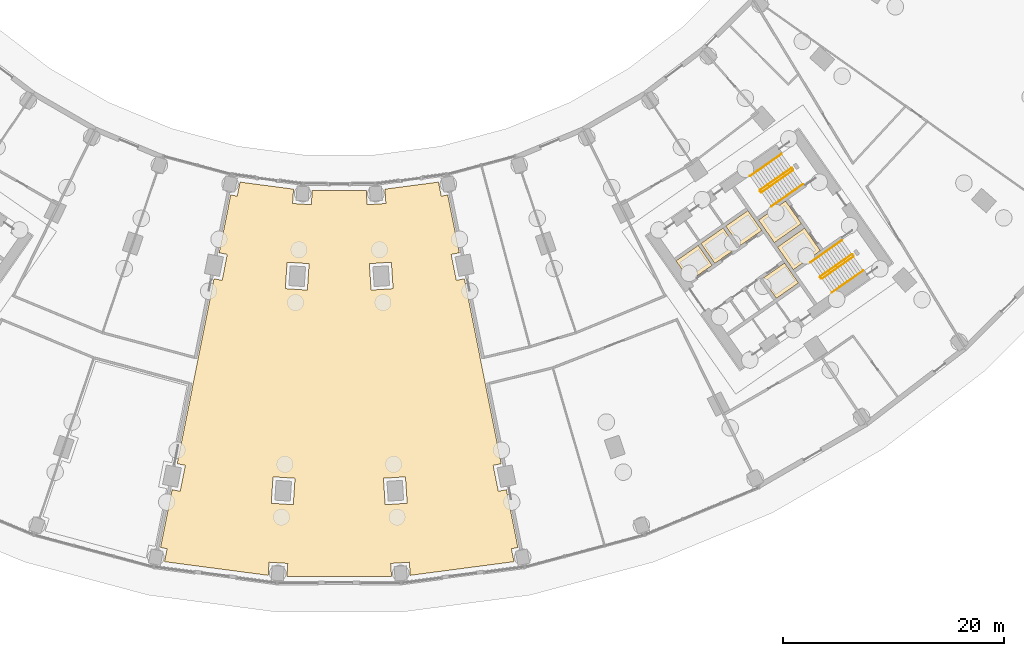
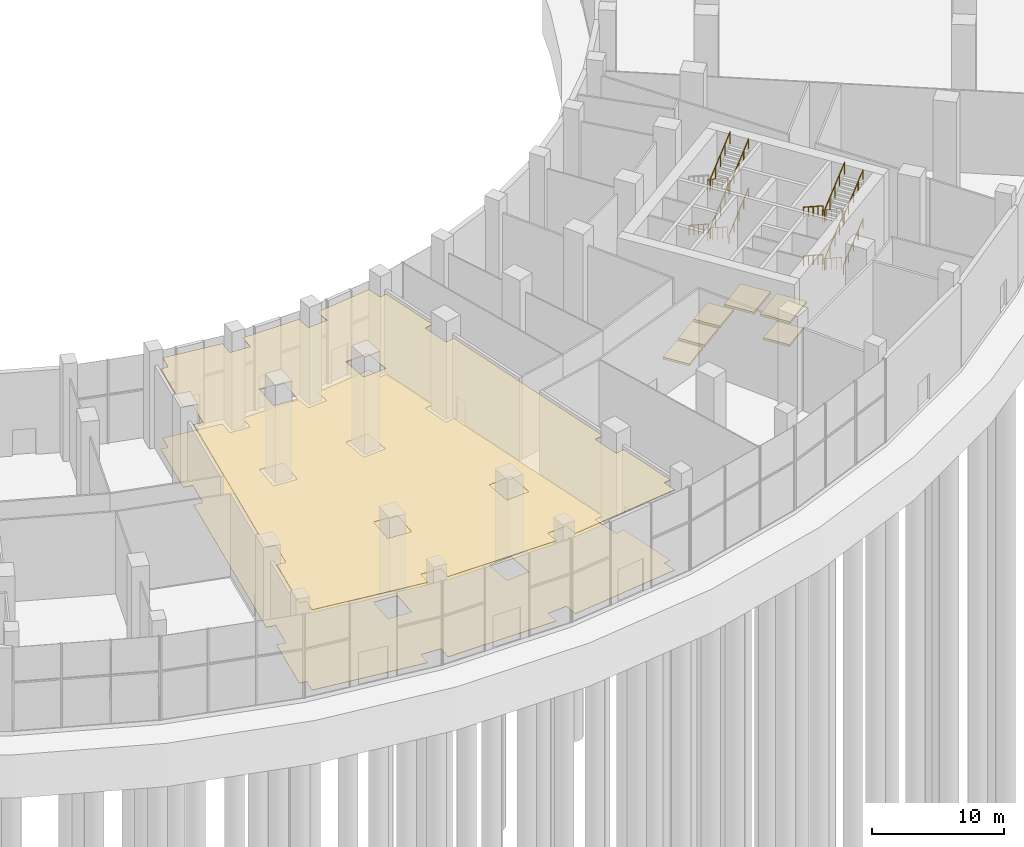
# One storey, part 20 of 23: 15 railings, 8 coverings.
"""IFC4 building model written with IfcOpenShell, lengths in metres."""

from ifc_helpers import new_model, si_unit, direction, frame, origin, origin_2d, place, context, subcontext, project, spatial, polyline, circle, outline, extrude, material, layer, layer_set, type_object, element, save


model = new_model("IFC4")

# Units and contexts
model_context = context("Model", 3, precision=1e-05, world=origin(), true_north=direction((0.0, 1.0)))
body_context = subcontext(model_context, "Body", "Model", "MODEL_VIEW")
ifc_project = project(units=[si_unit("LENGTHUNIT", "METRE"), si_unit("AREAUNIT", "SQUARE_METRE"), si_unit("VOLUMEUNIT", "CUBIC_METRE"), si_unit("PLANEANGLEUNIT", "RADIAN"), si_unit("MASSUNIT", "GRAM", prefix="KILO")], contexts=[model_context])

# Site, building, storey
site_placement = place(None, origin())
site = spatial("IfcSite", under=ifc_project, at=site_placement, CompositionType="ELEMENT")
building_placement = place(site_placement, origin())
building = spatial("IfcBuilding", under=site, at=building_placement, Name="Qamariyya Broadcast Tower", CompositionType="ELEMENT")
storey_placement = place(building_placement, origin())
storey = spatial("IfcBuildingStorey", under=building, at=storey_placement, Name="L00", CompositionType="ELEMENT", Elevation=0.0)

# Coverings
ifc_material_1 = material(Name="Granite paving", Category="masonry")
ifc_layer_1 = layer(ifc_material_1, 0.0400390625)
ifc_layer_set_1 = layer_set([ifc_layer_1], Name="Concourse stone paving 40")
covering_type_1 = type_object("IfcCoveringType", Name="Concourse stone paving 40", PredefinedType="FLOORING", material=ifc_layer_set_1)
covering_1_placement = place(storey_placement, origin())
element("IfcCovering", 1, at=covering_1_placement, inside=storey, type_object=covering_type_1, Name="Flooring L00-F02", PredefinedType="FLOORING", context=body_context, shape_type="SweptSolid", body=[
    extrude(outline(polyline([(-11.35302734375, -58.3564453125), (-10.617431640625, -58.502685546875), (-10.149169921875, -56.14892578125), (-10.884765625, -56.002685546875), (-9.841064453125, -50.75537109375), (-9.25244140625, -50.872314453125), (-8.998046875, -49.59326171875), (-4.144287109375, -50.232177734375), (-4.2294921875, -51.53369140625), (-2.533203125, -51.64501953125), (-2.44775390625, -50.343505859375), (2.44775390625, -50.343505859375), (2.533203125, -51.64501953125), (4.2294921875, -51.53369140625), (4.144287109375, -50.232177734375), (8.998046875, -49.59326171875), (9.25244140625, -50.872314453125), (9.841064453125, -50.75537109375), (10.884765625, -56.002685546875), (10.149169921875, -56.14892578125), (10.617431640625, -58.502685546875), (11.35302734375, -58.3564453125), (14.68896484375, -75.1279296875), (13.953369140625, -75.274169921875), (14.421630859375, -77.628173828125), (15.1572265625, -77.481689453125), (16.200927734375, -82.72900390625), (15.612548828125, -82.845947265625), (15.84521484375, -84.015869140625), (6.439697265625, -85.254150390625), (6.361572265625, -84.06396484375), (4.665283203125, -84.175048828125), (4.743408203125, -85.365234375), (-4.743408203125, -85.365234375), (-4.665283203125, -84.175048828125), (-6.361572265625, -84.06396484375), (-6.439697265625, -85.254150390625), (-15.84521484375, -84.015869140625), (-15.612548828125, -82.845947265625), (-16.200927734375, -82.72900390625), (-15.1572265625, -77.481689453125), (-14.421630859375, -77.628173828125), (-13.953369140625, -75.274169921875), (-14.68896484375, -75.1279296875), (-11.35302734375, -58.3564453125)]), holes=[polyline([(4.165771484375, -78.846435546875), (6.161376953125, -78.715576171875), (6.00439453125, -76.32080078125), (4.0087890625, -76.451416015625), (4.165771484375, -78.846435546875)]), polyline([(2.7333984375, -56.9931640625), (2.890380859375, -59.38818359375), (4.885986328125, -59.25732421875), (4.72900390625, -56.862548828125), (2.7333984375, -56.9931640625)]), polyline([(-4.72900390625, -56.862548828125), (-4.885986328125, -59.25732421875), (-2.890380859375, -59.38818359375), (-2.7333984375, -56.9931640625), (-4.72900390625, -56.862548828125)]), polyline([(-6.00439453125, -76.32080078125), (-6.161376953125, -78.715576171875), (-4.165771484375, -78.846435546875), (-4.0087890625, -76.451416015625), (-6.00439453125, -76.32080078125)])]), origin(), (0.0, 0.0, 1.0), 0.0400390625),
])
ifc_material_2 = material(Name="Timber slat acoustic ceiling", Category="wood")
ifc_layer_2 = layer(ifc_material_2, 0.050048828125)
ifc_layer_set_2 = layer_set([ifc_layer_2], Name="Concourse timber slat ceiling 50")
covering_type_2 = type_object("IfcCoveringType", Name="Concourse timber slat ceiling 50", PredefinedType="CEILING", material=ifc_layer_set_2)
covering_2_placement = place(storey_placement, frame((0.0, 0.0, 7.39990234375)))
element("IfcCovering", 2, at=covering_2_placement, inside=storey, type_object=covering_type_2, Name="Ceiling L00-C01", PredefinedType="CEILING", context=body_context, shape_type="SweptSolid", body=[
    extrude(outline(polyline([(-11.35302734375, -58.3564453125), (-10.617431640625, -58.502685546875), (-10.149169921875, -56.14892578125), (-10.884765625, -56.002685546875), (-9.841064453125, -50.75537109375), (-9.25244140625, -50.872314453125), (-8.998046875, -49.59326171875), (-4.144287109375, -50.232177734375), (-4.2294921875, -51.53369140625), (-2.533203125, -51.64501953125), (-2.44775390625, -50.343505859375), (2.44775390625, -50.343505859375), (2.533203125, -51.64501953125), (4.2294921875, -51.53369140625), (4.144287109375, -50.232177734375), (8.998046875, -49.59326171875), (9.25244140625, -50.872314453125), (9.841064453125, -50.75537109375), (10.884765625, -56.002685546875), (10.149169921875, -56.14892578125), (10.617431640625, -58.502685546875), (11.35302734375, -58.3564453125), (14.68896484375, -75.1279296875), (13.953369140625, -75.274169921875), (14.421630859375, -77.628173828125), (15.1572265625, -77.481689453125), (16.200927734375, -82.72900390625), (15.612548828125, -82.845947265625), (15.84521484375, -84.015869140625), (6.439697265625, -85.254150390625), (6.361572265625, -84.06396484375), (4.665283203125, -84.175048828125), (4.743408203125, -85.365234375), (-4.743408203125, -85.365234375), (-4.665283203125, -84.175048828125), (-6.361572265625, -84.06396484375), (-6.439697265625, -85.254150390625), (-15.84521484375, -84.015869140625), (-15.612548828125, -82.845947265625), (-16.200927734375, -82.72900390625), (-15.1572265625, -77.481689453125), (-14.421630859375, -77.628173828125), (-13.953369140625, -75.274169921875), (-14.68896484375, -75.1279296875), (-11.35302734375, -58.3564453125)]), holes=[polyline([(4.165771484375, -78.846435546875), (6.161376953125, -78.715576171875), (6.00439453125, -76.32080078125), (4.0087890625, -76.451416015625), (4.165771484375, -78.846435546875)]), polyline([(2.7333984375, -56.9931640625), (2.890380859375, -59.38818359375), (4.885986328125, -59.25732421875), (4.72900390625, -56.862548828125), (2.7333984375, -56.9931640625)]), polyline([(-4.72900390625, -56.862548828125), (-4.885986328125, -59.25732421875), (-2.890380859375, -59.38818359375), (-2.7333984375, -56.9931640625), (-4.72900390625, -56.862548828125)]), polyline([(-6.00439453125, -76.32080078125), (-6.161376953125, -78.715576171875), (-4.165771484375, -78.846435546875), (-4.0087890625, -76.451416015625), (-6.00439453125, -76.32080078125)])]), origin(), (0.0, 0.0, 1.0), 0.050048828125),
])
ifc_material_3 = material(Name="Concrete C40/50", Category="concrete")
ifc_layer_3 = layer(ifc_material_3, 0.199951171875)
ifc_layer_set_3 = layer_set([ifc_layer_3], Name="Lift pit floor topping 200 mm Concrete C40/50")
covering_type_3 = type_object("IfcCoveringType", Name="Lift pit floor topping 200 mm Concrete C40/50", PredefinedType="FLOORING", material=ifc_layer_set_3)
covering_3_placement = place(storey_placement, frame((0.0, 0.0, -2.199951171875)))
element("IfcCovering", 3, at=covering_3_placement, inside=storey, type_object=covering_type_3, Name="k-E-L00-pit0", PredefinedType="FLOORING", context=body_context, shape_type="SweptSolid", body=[
    extrude(outline(polyline([(31.80859375, -58.542724609375), (33.8154296875, -57.137451171875), (32.5537109375, -55.335205078125), (30.546630859375, -56.740478515625), (31.80859375, -58.542724609375)])), origin(), (0.0, 0.0, 1.0), 0.199951171875),
])
covering_4_placement = place(storey_placement, frame((0.0, 0.0, -2.199951171875)))
element("IfcCovering", 4, at=covering_4_placement, inside=storey, type_object=covering_type_3, Name="k-E-L00-pit1", PredefinedType="FLOORING", context=body_context, shape_type="SweptSolid", body=[
    extrude(outline(polyline([(34.061279296875, -56.96533203125), (36.068115234375, -55.56005859375), (34.806396484375, -53.758056640625), (32.79931640625, -55.163330078125), (34.061279296875, -56.96533203125)])), origin(), (0.0, 0.0, 1.0), 0.199951171875),
])
covering_5_placement = place(storey_placement, frame((0.0, 0.0, -2.199951171875)))
element("IfcCovering", 5, at=covering_5_placement, inside=storey, type_object=covering_type_3, Name="k-E-L00-pit2", PredefinedType="FLOORING", context=body_context, shape_type="SweptSolid", body=[
    extrude(outline(polyline([(36.31396484375, -55.387939453125), (38.32080078125, -53.982666015625), (37.058837890625, -52.1806640625), (35.052001953125, -53.5859375), (36.31396484375, -55.387939453125)])), origin(), (0.0, 0.0, 1.0), 0.199951171875),
])
covering_6_placement = place(storey_placement, frame((0.0, 0.0, -2.199951171875)))
element("IfcCovering", 6, at=covering_6_placement, inside=storey, type_object=covering_type_3, Name="k-E-L00-pit3", PredefinedType="FLOORING", context=body_context, shape_type="SweptSolid", body=[
    extrude(outline(polyline([(38.378662109375, -58.3369140625), (40.3857421875, -56.931640625), (41.6474609375, -58.73388671875), (39.640625, -60.13916015625), (38.378662109375, -58.3369140625)])), origin(), (0.0, 0.0, 1.0), 0.199951171875),
])
covering_7_placement = place(storey_placement, frame((0.0, 0.0, -2.199951171875)))
element("IfcCovering", 7, at=covering_7_placement, inside=storey, type_object=covering_type_3, Name="k-E-L00-pit4", PredefinedType="FLOORING", context=body_context, shape_type="SweptSolid", body=[
    extrude(outline(polyline([(39.742431640625, -55.489990234375), (42.199951171875, -53.769287109375), (43.6337890625, -55.817138671875), (41.17626953125, -57.537841796875), (39.742431640625, -55.489990234375)])), origin(), (0.0, 0.0, 1.0), 0.199951171875),
])
covering_8_placement = place(storey_placement, frame((0.0, 0.0, -2.199951171875)))
element("IfcCovering", 8, at=covering_8_placement, inside=storey, type_object=covering_type_3, Name="k-E-L00-pit5", PredefinedType="FLOORING", context=body_context, shape_type="SweptSolid", body=[
    extrude(outline(polyline([(39.45556640625, -55.080322265625), (41.9130859375, -53.359619140625), (40.47900390625, -51.311767578125), (38.021728515625, -53.032470703125), (39.45556640625, -55.080322265625)])), origin(), (0.0, 0.0, 1.0), 0.199951171875),
])

# Railings
ifc_material_4 = material(Name="Painted steel", Category="steel")
railing_type_1 = type_object("IfcRailingType", Name="Stair guard", PredefinedType="GUARDRAIL", material=ifc_material_4)
railing_1_placement = place(storey_placement, frame((41.003173828125, -48.320068359375, 0.173095703125)))
element("IfcRailing", 9, at=railing_1_placement, inside=storey, type_object=railing_type_1, Name="L00 ST-E2 stair guard 1", PredefinedType="GUARDRAIL", context=body_context, shape_type="SweptSolid", body=[
    extrude(circle(Radius=0.02392578125, at=origin_2d()), frame((0.0, 0.0, 1.076171875), z_axis=(-0.703392637411, -0.492543525477, 0.512483827206), x_axis=(0.573594173421, -0.819139624372, 0.0)), (0.0, 0.0, 1.0), 4.052734375),
    extrude(circle(Radius=0.02392578125, at=origin_2d()), frame((-2.8505859375, -1.99609375, 3.15283203125), z_axis=(-0.172799478008, -0.984957024646, 0.0), x_axis=(0.984957024646, -0.172799478008, 0.0)), (0.0, 0.0, 1.0), 0.070556640625),
    extrude(circle(Radius=0.02392578125, at=origin_2d()), frame((-2.86279296875, -2.065673828125, 3.15283203125), z_axis=(0.573353020881, -0.819308436089, 0.0), x_axis=(0.819308436089, 0.573353020881, 0.0)), (0.0, 0.0, 1.0), 0.14990234375),
    extrude(circle(Radius=0.02099609375, at=origin_2d()), origin(), (0.0, 0.0, 1.0), 1.052001953125),
    extrude(circle(Radius=0.02099609375, at=origin_2d()), frame((-0.712646484375, -0.4990234375, 0.519287109375)), (0.0, 0.0, 1.0), 1.052001953125),
    extrude(circle(Radius=0.02099609375, at=origin_2d()), frame((-1.42529296875, -0.998046875, 1.03857421875)), (0.0, 0.0, 1.0), 1.052001953125),
    extrude(circle(Radius=0.02099609375, at=origin_2d()), frame((-2.137939453125, -1.4970703125, 1.5576171875)), (0.0, 0.0, 1.0), 1.052001953125),
    extrude(circle(Radius=0.02099609375, at=origin_2d()), frame((-2.8505859375, -1.99609375, 2.076904296875)), (0.0, 0.0, 1.0), 1.052001953125),
    extrude(circle(Radius=0.02099609375, at=origin_2d()), frame((-2.86279296875, -2.065673828125, 2.076904296875)), (0.0, 0.0, 1.0), 1.052001953125),
    extrude(circle(Radius=0.02099609375, at=origin_2d()), frame((-2.77685546875, -2.1884765625, 2.076904296875)), (0.0, 0.0, 1.0), 1.052001953125),
])
railing_2_placement = place(storey_placement, frame((38.2958984375, -50.52099609375, 2.423095703125)))
element("IfcRailing", 10, at=railing_2_placement, inside=storey, type_object=railing_type_1, Name="L00 ST-E2 stair guard 2", PredefinedType="GUARDRAIL", context=body_context, shape_type="SweptSolid", body=[
    extrude(circle(Radius=0.02392578125, at=origin_2d()), frame((0.0, 0.0, 1.076171875), z_axis=(0.703423072377, 0.49252265477, 0.512462111562), x_axis=(-0.573561211868, 0.819162704376, 0.0)), (0.0, 0.0, 1.0), 4.052734375),
    extrude(circle(Radius=0.02392578125, at=origin_2d()), frame((2.850830078125, 1.99609375, 3.15283203125), z_axis=(-0.35747155403, 0.93392402692, 0.0), x_axis=(-0.93392402692, -0.35747155403, 0.0)), (0.0, 0.0, 1.0), 0.206298828125),
    extrude(circle(Radius=0.02392578125, at=origin_2d()), frame((2.777099609375, 2.188720703125, 3.15283203125), z_axis=(0.572588637393, -0.819842821722, 0.0), x_axis=(0.819842821722, 0.572588637393, 0.0)), (0.0, 0.0, 1.0), 0.150146484375),
    extrude(circle(Radius=0.02099609375, at=origin_2d()), origin(), (0.0, 0.0, 1.0), 1.052001953125),
    extrude(circle(Radius=0.02099609375, at=origin_2d()), frame((0.712646484375, 0.4990234375, 0.519287109375)), (0.0, 0.0, 1.0), 1.052001953125),
    extrude(circle(Radius=0.02099609375, at=origin_2d()), frame((1.42529296875, 0.998046875, 1.03857421875)), (0.0, 0.0, 1.0), 1.052001953125),
    extrude(circle(Radius=0.02099609375, at=origin_2d()), frame((2.13818359375, 1.4970703125, 1.5576171875)), (0.0, 0.0, 1.0), 1.052001953125),
    extrude(circle(Radius=0.02099609375, at=origin_2d()), frame((2.850830078125, 1.99609375, 2.076904296875)), (0.0, 0.0, 1.0), 1.052001953125),
    extrude(circle(Radius=0.02099609375, at=origin_2d()), frame((2.777099609375, 2.188720703125, 2.076904296875)), (0.0, 0.0, 1.0), 1.052001953125),
    extrude(circle(Radius=0.02099609375, at=origin_2d()), frame((2.863037109375, 2.065673828125, 2.076904296875)), (0.0, 0.0, 1.0), 1.052001953125),
])
railing_3_placement = place(storey_placement, frame((41.003173828125, -48.320068359375, 4.673095703125)))
element("IfcRailing", 11, at=railing_3_placement, inside=storey, type_object=railing_type_1, Name="L00 ST-E2 stair guard 3", PredefinedType="GUARDRAIL", context=body_context, shape_type="SweptSolid", body=[
    extrude(circle(Radius=0.02392578125, at=origin_2d()), frame((0.0, 0.0, 1.076171875), z_axis=(-0.703392637411, -0.492543525477, 0.512483827206), x_axis=(0.573594173421, -0.819139624372, 0.0)), (0.0, 0.0, 1.0), 4.052734375),
    extrude(circle(Radius=0.02392578125, at=origin_2d()), frame((-2.8505859375, -1.99609375, 3.15283203125), z_axis=(-0.172799478008, -0.984957024646, 0.0), x_axis=(0.984957024646, -0.172799478008, 0.0)), (0.0, 0.0, 1.0), 0.070556640625),
    extrude(circle(Radius=0.02392578125, at=origin_2d()), frame((-2.86279296875, -2.065673828125, 3.15283203125), z_axis=(0.573353020881, -0.819308436089, 0.0), x_axis=(0.819308436089, 0.573353020881, 0.0)), (0.0, 0.0, 1.0), 0.14990234375),
    extrude(circle(Radius=0.02099609375, at=origin_2d()), origin(), (0.0, 0.0, 1.0), 1.052001953125),
    extrude(circle(Radius=0.02099609375, at=origin_2d()), frame((-0.712646484375, -0.4990234375, 0.519287109375)), (0.0, 0.0, 1.0), 1.052001953125),
    extrude(circle(Radius=0.02099609375, at=origin_2d()), frame((-1.42529296875, -0.998046875, 1.03857421875)), (0.0, 0.0, 1.0), 1.052001953125),
    extrude(circle(Radius=0.02099609375, at=origin_2d()), frame((-2.137939453125, -1.4970703125, 1.5576171875)), (0.0, 0.0, 1.0), 1.052001953125),
    extrude(circle(Radius=0.02099609375, at=origin_2d()), frame((-2.8505859375, -1.99609375, 2.076904296875)), (0.0, 0.0, 1.0), 1.052001953125),
    extrude(circle(Radius=0.02099609375, at=origin_2d()), frame((-2.86279296875, -2.065673828125, 2.076904296875)), (0.0, 0.0, 1.0), 1.052001953125),
    extrude(circle(Radius=0.02099609375, at=origin_2d()), frame((-2.77685546875, -2.1884765625, 2.076904296875)), (0.0, 0.0, 1.0), 1.052001953125),
])
railing_4_placement = place(storey_placement, frame((38.2958984375, -50.52099609375, 6.923095703125)))
element("IfcRailing", 12, at=railing_4_placement, inside=storey, type_object=railing_type_1, Name="L00 ST-E2 stair guard 4", PredefinedType="GUARDRAIL", context=body_context, shape_type="SweptSolid", body=[
    extrude(circle(Radius=0.02392578125, at=origin_2d()), frame((0.0, 0.0, 1.076171875), z_axis=(0.703423072377, 0.49252265477, 0.512462111562), x_axis=(-0.573561211868, 0.819162704376, 0.0)), (0.0, 0.0, 1.0), 4.052734375),
    extrude(circle(Radius=0.02099609375, at=origin_2d()), origin(), (0.0, 0.0, 1.0), 1.052001953125),
    extrude(circle(Radius=0.02099609375, at=origin_2d()), frame((0.712646484375, 0.4990234375, 0.519287109375)), (0.0, 0.0, 1.0), 1.052001953125),
    extrude(circle(Radius=0.02099609375, at=origin_2d()), frame((1.42529296875, 0.998046875, 1.03857421875)), (0.0, 0.0, 1.0), 1.052001953125),
    extrude(circle(Radius=0.02099609375, at=origin_2d()), frame((2.13818359375, 1.4970703125, 1.5576171875)), (0.0, 0.0, 1.0), 1.052001953125),
    extrude(circle(Radius=0.02099609375, at=origin_2d()), frame((2.850830078125, 1.99609375, 2.076904296875)), (0.0, 0.0, 1.0), 1.052001953125),
])
railing_5_placement = place(storey_placement, frame((46.48095703125, -56.14306640625, 0.173095703125)))
element("IfcRailing", 13, at=railing_5_placement, inside=storey, type_object=railing_type_1, Name="L00 ST-E1 stair guard 1", PredefinedType="GUARDRAIL", context=body_context, shape_type="SweptSolid", body=[
    extrude(circle(Radius=0.02392578125, at=origin_2d()), frame((0.0, 0.0, 1.076171875), z_axis=(-0.703413508203, -0.492497895646, 0.512499033426), x_axis=(0.57354709673, -0.81917258733, 0.0)), (0.0, 0.0, 1.0), 4.052490234375),
    extrude(circle(Radius=0.02392578125, at=origin_2d()), frame((-2.8505859375, -1.995849609375, 3.15283203125), z_axis=(-0.175552359694, -0.984470095537, 0.0), x_axis=(0.984470095537, -0.175552359694, 0.0)), (0.0, 0.0, 1.0), 0.071044921875),
    extrude(circle(Radius=0.02392578125, at=origin_2d()), frame((-2.863037109375, -2.065673828125, 3.15283203125), z_axis=(0.574444878118, -0.818543268254, 0.0), x_axis=(0.818543268254, 0.574444878118, 0.0)), (0.0, 0.0, 1.0), 0.150146484375),
    extrude(circle(Radius=0.02099609375, at=origin_2d()), origin(), (0.0, 0.0, 1.0), 1.052001953125),
    extrude(circle(Radius=0.02099609375, at=origin_2d()), frame((-0.712646484375, -0.4990234375, 0.519287109375)), (0.0, 0.0, 1.0), 1.052001953125),
    extrude(circle(Radius=0.02099609375, at=origin_2d()), frame((-1.42529296875, -0.998046875, 1.03857421875)), (0.0, 0.0, 1.0), 1.052001953125),
    extrude(circle(Radius=0.02099609375, at=origin_2d()), frame((-2.137939453125, -1.496826171875, 1.5576171875)), (0.0, 0.0, 1.0), 1.052001953125),
    extrude(circle(Radius=0.02099609375, at=origin_2d()), frame((-2.8505859375, -1.995849609375, 2.076904296875)), (0.0, 0.0, 1.0), 1.052001953125),
    extrude(circle(Radius=0.02099609375, at=origin_2d()), frame((-2.863037109375, -2.065673828125, 2.076904296875)), (0.0, 0.0, 1.0), 1.052001953125),
    extrude(circle(Radius=0.02099609375, at=origin_2d()), frame((-2.77685546875, -2.1884765625, 2.076904296875)), (0.0, 0.0, 1.0), 1.052001953125),
])
railing_6_placement = place(storey_placement, frame((43.773681640625, -58.34375, 2.423095703125)))
element("IfcRailing", 14, at=railing_6_placement, inside=storey, type_object=railing_type_1, Name="L00 ST-E1 stair guard 2", PredefinedType="GUARDRAIL", context=body_context, shape_type="SweptSolid", body=[
    extrude(circle(Radius=0.02392578125, at=origin_2d()), frame((0.0, 0.0, 1.076171875), z_axis=(0.703392637411, 0.492543525477, 0.512483827206), x_axis=(-0.573594173421, 0.819139624372, 0.0)), (0.0, 0.0, 1.0), 4.052734375),
    extrude(circle(Radius=0.02392578125, at=origin_2d()), frame((2.8505859375, 1.99609375, 3.15283203125), z_axis=(-0.357867132547, 0.933772518038, 0.0), x_axis=(-0.933772518038, -0.357867132547, 0.0)), (0.0, 0.0, 1.0), 0.2060546875),
    extrude(circle(Radius=0.02392578125, at=origin_2d()), frame((2.77685546875, 2.1884765625, 3.15283203125), z_axis=(0.574444878118, -0.818543268254, 0.0), x_axis=(0.818543268254, 0.574444878118, 0.0)), (0.0, 0.0, 1.0), 0.150146484375),
    extrude(circle(Radius=0.02099609375, at=origin_2d()), origin(), (0.0, 0.0, 1.0), 1.052001953125),
    extrude(circle(Radius=0.02099609375, at=origin_2d()), frame((0.712646484375, 0.4990234375, 0.519287109375)), (0.0, 0.0, 1.0), 1.052001953125),
    extrude(circle(Radius=0.02099609375, at=origin_2d()), frame((1.42529296875, 0.998046875, 1.03857421875)), (0.0, 0.0, 1.0), 1.052001953125),
    extrude(circle(Radius=0.02099609375, at=origin_2d()), frame((2.137939453125, 1.4970703125, 1.5576171875)), (0.0, 0.0, 1.0), 1.052001953125),
    extrude(circle(Radius=0.02099609375, at=origin_2d()), frame((2.8505859375, 1.99609375, 2.076904296875)), (0.0, 0.0, 1.0), 1.052001953125),
    extrude(circle(Radius=0.02099609375, at=origin_2d()), frame((2.77685546875, 2.1884765625, 2.076904296875)), (0.0, 0.0, 1.0), 1.052001953125),
    extrude(circle(Radius=0.02099609375, at=origin_2d()), frame((2.863037109375, 2.065673828125, 2.076904296875)), (0.0, 0.0, 1.0), 1.052001953125),
])
railing_7_placement = place(storey_placement, frame((46.48095703125, -56.14306640625, 4.673095703125)))
element("IfcRailing", 15, at=railing_7_placement, inside=storey, type_object=railing_type_1, Name="L00 ST-E1 stair guard 3", PredefinedType="GUARDRAIL", context=body_context, shape_type="SweptSolid", body=[
    extrude(circle(Radius=0.02392578125, at=origin_2d()), frame((0.0, 0.0, 1.076171875), z_axis=(-0.703413508203, -0.492497895646, 0.512499033426), x_axis=(0.57354709673, -0.81917258733, 0.0)), (0.0, 0.0, 1.0), 4.052490234375),
    extrude(circle(Radius=0.02392578125, at=origin_2d()), frame((-2.8505859375, -1.995849609375, 3.15283203125), z_axis=(-0.175552359694, -0.984470095537, 0.0), x_axis=(0.984470095537, -0.175552359694, 0.0)), (0.0, 0.0, 1.0), 0.071044921875),
    extrude(circle(Radius=0.02392578125, at=origin_2d()), frame((-2.863037109375, -2.065673828125, 3.15283203125), z_axis=(0.574444878118, -0.818543268254, 0.0), x_axis=(0.818543268254, 0.574444878118, 0.0)), (0.0, 0.0, 1.0), 0.150146484375),
    extrude(circle(Radius=0.02099609375, at=origin_2d()), origin(), (0.0, 0.0, 1.0), 1.052001953125),
    extrude(circle(Radius=0.02099609375, at=origin_2d()), frame((-0.712646484375, -0.4990234375, 0.519287109375)), (0.0, 0.0, 1.0), 1.052001953125),
    extrude(circle(Radius=0.02099609375, at=origin_2d()), frame((-1.42529296875, -0.998046875, 1.03857421875)), (0.0, 0.0, 1.0), 1.052001953125),
    extrude(circle(Radius=0.02099609375, at=origin_2d()), frame((-2.137939453125, -1.496826171875, 1.5576171875)), (0.0, 0.0, 1.0), 1.052001953125),
    extrude(circle(Radius=0.02099609375, at=origin_2d()), frame((-2.8505859375, -1.995849609375, 2.076904296875)), (0.0, 0.0, 1.0), 1.052001953125),
    extrude(circle(Radius=0.02099609375, at=origin_2d()), frame((-2.863037109375, -2.065673828125, 2.076904296875)), (0.0, 0.0, 1.0), 1.052001953125),
    extrude(circle(Radius=0.02099609375, at=origin_2d()), frame((-2.77685546875, -2.1884765625, 2.076904296875)), (0.0, 0.0, 1.0), 1.052001953125),
])
railing_8_placement = place(storey_placement, frame((43.773681640625, -58.34375, 6.923095703125)))
element("IfcRailing", 16, at=railing_8_placement, inside=storey, type_object=railing_type_1, Name="L00 ST-E1 stair guard 4", PredefinedType="GUARDRAIL", context=body_context, shape_type="SweptSolid", body=[
    extrude(circle(Radius=0.02392578125, at=origin_2d()), frame((0.0, 0.0, 1.076171875), z_axis=(0.703392637411, 0.492543525477, 0.512483827206), x_axis=(-0.573594173421, 0.819139624372, 0.0)), (0.0, 0.0, 1.0), 4.052734375),
    extrude(circle(Radius=0.02099609375, at=origin_2d()), origin(), (0.0, 0.0, 1.0), 1.052001953125),
    extrude(circle(Radius=0.02099609375, at=origin_2d()), frame((0.712646484375, 0.4990234375, 0.519287109375)), (0.0, 0.0, 1.0), 1.052001953125),
    extrude(circle(Radius=0.02099609375, at=origin_2d()), frame((1.42529296875, 0.998046875, 1.03857421875)), (0.0, 0.0, 1.0), 1.052001953125),
    extrude(circle(Radius=0.02099609375, at=origin_2d()), frame((2.137939453125, 1.4970703125, 1.5576171875)), (0.0, 0.0, 1.0), 1.052001953125),
    extrude(circle(Radius=0.02099609375, at=origin_2d()), frame((2.8505859375, 1.99609375, 2.076904296875)), (0.0, 0.0, 1.0), 1.052001953125),
])
ifc_material_5 = material(Name="Stainless steel", Category="steel")
railing_type_2 = type_object("IfcRailingType", Name="Stair handrail", PredefinedType="HANDRAIL", material=ifc_material_5)
railing_9_placement = place(storey_placement, frame((40.1142578125, -47.05029296875, 0.173095703125)))
element("IfcRailing", 17, at=railing_9_placement, inside=storey, type_object=railing_type_2, Name="L00 ST-E2 stair handrail 1", PredefinedType="HANDRAIL", context=body_context, shape_type="SweptSolid", body=[
    extrude(circle(Radius=0.02392578125, at=origin_2d()), frame((0.0, 0.0, 0.8759765625), z_axis=(-0.703392637411, -0.492543525477, 0.512483827206), x_axis=(0.573594173421, -0.819139624372, 0.0)), (0.0, 0.0, 1.0), 4.052734375),
    extrude(circle(Radius=0.02099609375, at=origin_2d()), origin(), (0.0, 0.0, 1.0), 0.851806640625),
    extrude(circle(Radius=0.02099609375, at=origin_2d()), frame((-0.712646484375, -0.4990234375, 0.519287109375)), (0.0, 0.0, 1.0), 0.851806640625),
    extrude(circle(Radius=0.02099609375, at=origin_2d()), frame((-1.42529296875, -0.998046875, 1.03857421875)), (0.0, 0.0, 1.0), 0.851806640625),
    extrude(circle(Radius=0.02099609375, at=origin_2d()), frame((-2.137939453125, -1.4970703125, 1.5576171875)), (0.0, 0.0, 1.0), 0.851806640625),
    extrude(circle(Radius=0.02099609375, at=origin_2d()), frame((-2.8505859375, -1.99609375, 2.076904296875)), (0.0, 0.0, 1.0), 0.851806640625),
])
for number, where, name in (
    (18, (39.18505859375, -51.79052734375, 2.423095703125), "L00 ST-E2 stair handrail 2"),
    (19, (39.18505859375, -51.79052734375, 6.923095703125), "L00 ST-E2 stair handrail 4"),
):
    element("IfcRailing", number, at=place(storey_placement, frame(where)), inside=storey, type_object=railing_type_2, Name=name, PredefinedType="HANDRAIL", context=body_context, shape_type="SweptSolid", body=[
        extrude(circle(Radius=0.02392578125, at=origin_2d()), frame((0.0, 0.0, 0.8759765625), z_axis=(0.703392637411, 0.492543525477, 0.512483827206), x_axis=(-0.573594173421, 0.819139624372, 0.0)), (0.0, 0.0, 1.0), 4.052734375),
        extrude(circle(Radius=0.02099609375, at=origin_2d()), origin(), (0.0, 0.0, 1.0), 0.851806640625),
        extrude(circle(Radius=0.02099609375, at=origin_2d()), frame((0.712646484375, 0.4990234375, 0.519287109375)), (0.0, 0.0, 1.0), 0.851806640625),
        extrude(circle(Radius=0.02099609375, at=origin_2d()), frame((1.42529296875, 0.998046875, 1.03857421875)), (0.0, 0.0, 1.0), 0.851806640625),
        extrude(circle(Radius=0.02099609375, at=origin_2d()), frame((2.137939453125, 1.4970703125, 1.5576171875)), (0.0, 0.0, 1.0), 0.851806640625),
        extrude(circle(Radius=0.02099609375, at=origin_2d()), frame((2.8505859375, 1.99609375, 2.076904296875)), (0.0, 0.0, 1.0), 0.851806640625),
    ])
railing_10_placement = place(storey_placement, frame((45.591796875, -54.873291015625, 0.173095703125)))
element("IfcRailing", 20, at=railing_10_placement, inside=storey, type_object=railing_type_2, Name="L00 ST-E1 stair handrail 1", PredefinedType="HANDRAIL", context=body_context, shape_type="SweptSolid", body=[
    extrude(circle(Radius=0.02392578125, at=origin_2d()), frame((0.0, 0.0, 0.8759765625), z_axis=(-0.703392637411, -0.492543525477, 0.512483827206), x_axis=(0.573594173421, -0.819139624372, 0.0)), (0.0, 0.0, 1.0), 4.052734375),
    extrude(circle(Radius=0.02099609375, at=origin_2d()), origin(), (0.0, 0.0, 1.0), 0.851806640625),
    extrude(circle(Radius=0.02099609375, at=origin_2d()), frame((-0.712646484375, -0.4990234375, 0.519287109375)), (0.0, 0.0, 1.0), 0.851806640625),
    extrude(circle(Radius=0.02099609375, at=origin_2d()), frame((-1.42529296875, -0.998046875, 1.03857421875)), (0.0, 0.0, 1.0), 0.851806640625),
    extrude(circle(Radius=0.02099609375, at=origin_2d()), frame((-2.137939453125, -1.4970703125, 1.5576171875)), (0.0, 0.0, 1.0), 0.851806640625),
    extrude(circle(Radius=0.02099609375, at=origin_2d()), frame((-2.8505859375, -1.99609375, 2.076904296875)), (0.0, 0.0, 1.0), 0.851806640625),
])
railing_11_placement = place(storey_placement, frame((44.66259765625, -59.613525390625, 2.423095703125)))
element("IfcRailing", 21, at=railing_11_placement, inside=storey, type_object=railing_type_2, Name="L00 ST-E1 stair handrail 2", PredefinedType="HANDRAIL", context=body_context, shape_type="SweptSolid", body=[
    extrude(circle(Radius=0.02392578125, at=origin_2d()), frame((0.0, 0.0, 0.8759765625), z_axis=(0.703423072377, 0.49252265477, 0.512462111562), x_axis=(-0.573561211868, 0.819162704376, 0.0)), (0.0, 0.0, 1.0), 4.052734375),
    extrude(circle(Radius=0.02099609375, at=origin_2d()), origin(), (0.0, 0.0, 1.0), 0.851806640625),
    extrude(circle(Radius=0.02099609375, at=origin_2d()), frame((0.712646484375, 0.4990234375, 0.519287109375)), (0.0, 0.0, 1.0), 0.851806640625),
    extrude(circle(Radius=0.02099609375, at=origin_2d()), frame((1.42529296875, 0.998046875, 1.03857421875)), (0.0, 0.0, 1.0), 0.851806640625),
    extrude(circle(Radius=0.02099609375, at=origin_2d()), frame((2.13818359375, 1.4970703125, 1.5576171875)), (0.0, 0.0, 1.0), 0.851806640625),
    extrude(circle(Radius=0.02099609375, at=origin_2d()), frame((2.850830078125, 1.99609375, 2.076904296875)), (0.0, 0.0, 1.0), 0.851806640625),
])
railing_12_placement = place(storey_placement, frame((45.591796875, -54.873291015625, 4.673095703125)))
element("IfcRailing", 22, at=railing_12_placement, inside=storey, type_object=railing_type_2, Name="L00 ST-E1 stair handrail 3", PredefinedType="HANDRAIL", context=body_context, shape_type="SweptSolid", body=[
    extrude(circle(Radius=0.02392578125, at=origin_2d()), frame((0.0, 0.0, 0.8759765625), z_axis=(-0.703392637411, -0.492543525477, 0.512483827206), x_axis=(0.573594173421, -0.819139624372, 0.0)), (0.0, 0.0, 1.0), 4.052734375),
    extrude(circle(Radius=0.02099609375, at=origin_2d()), origin(), (0.0, 0.0, 1.0), 0.851806640625),
    extrude(circle(Radius=0.02099609375, at=origin_2d()), frame((-0.712646484375, -0.4990234375, 0.519287109375)), (0.0, 0.0, 1.0), 0.851806640625),
    extrude(circle(Radius=0.02099609375, at=origin_2d()), frame((-1.42529296875, -0.998046875, 1.03857421875)), (0.0, 0.0, 1.0), 0.851806640625),
    extrude(circle(Radius=0.02099609375, at=origin_2d()), frame((-2.137939453125, -1.4970703125, 1.5576171875)), (0.0, 0.0, 1.0), 0.851806640625),
    extrude(circle(Radius=0.02099609375, at=origin_2d()), frame((-2.8505859375, -1.99609375, 2.076904296875)), (0.0, 0.0, 1.0), 0.851806640625),
])
railing_13_placement = place(storey_placement, frame((44.66259765625, -59.613525390625, 6.923095703125)))
element("IfcRailing", 23, at=railing_13_placement, inside=storey, type_object=railing_type_2, Name="L00 ST-E1 stair handrail 4", PredefinedType="HANDRAIL", context=body_context, shape_type="SweptSolid", body=[
    extrude(circle(Radius=0.02392578125, at=origin_2d()), frame((0.0, 0.0, 0.8759765625), z_axis=(0.703423072377, 0.49252265477, 0.512462111562), x_axis=(-0.573561211868, 0.819162704376, 0.0)), (0.0, 0.0, 1.0), 4.052734375),
    extrude(circle(Radius=0.02099609375, at=origin_2d()), origin(), (0.0, 0.0, 1.0), 0.851806640625),
    extrude(circle(Radius=0.02099609375, at=origin_2d()), frame((0.712646484375, 0.4990234375, 0.519287109375)), (0.0, 0.0, 1.0), 0.851806640625),
    extrude(circle(Radius=0.02099609375, at=origin_2d()), frame((1.42529296875, 0.998046875, 1.03857421875)), (0.0, 0.0, 1.0), 0.851806640625),
    extrude(circle(Radius=0.02099609375, at=origin_2d()), frame((2.13818359375, 1.4970703125, 1.5576171875)), (0.0, 0.0, 1.0), 0.851806640625),
    extrude(circle(Radius=0.02099609375, at=origin_2d()), frame((2.850830078125, 1.99609375, 2.076904296875)), (0.0, 0.0, 1.0), 0.851806640625),
])

save(model, "model.ifc")
